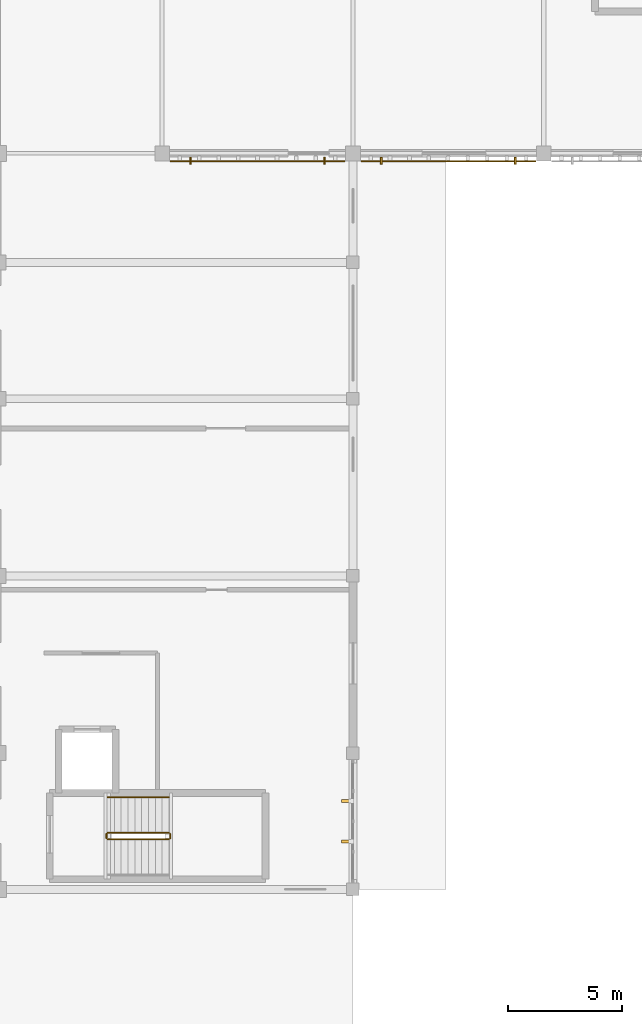
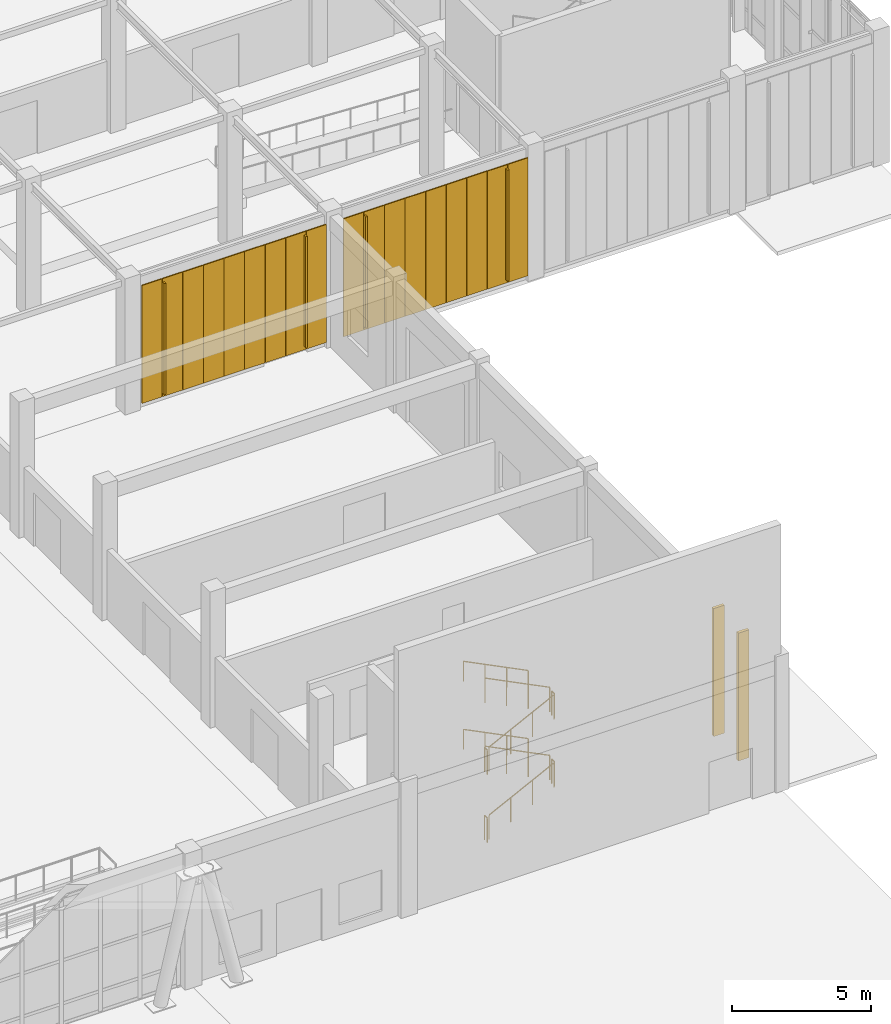
# One storey, part 106 of 110: 20 coverings, 10 railings, 4 shading devices.
"""IFC4 building model written with IfcOpenShell, lengths in metres."""

from ifc_helpers import new_model, si_unit, direction, frame, origin, origin_2d, place, context, subcontext, project, spatial, rectangle, circle, extrude, material, layer, layer_set, type_object, element, save


model = new_model("IFC4")

# Units and contexts
model_context = context("Model", 3, precision=1e-05, world=origin(), true_north=direction((0.0, 1.0)))
body_context = subcontext(model_context, "Body", "Model", "MODEL_VIEW")
ifc_project = project(units=[si_unit("LENGTHUNIT", "METRE"), si_unit("AREAUNIT", "SQUARE_METRE"), si_unit("VOLUMEUNIT", "CUBIC_METRE"), si_unit("PLANEANGLEUNIT", "RADIAN"), si_unit("MASSUNIT", "GRAM", prefix="KILO")], contexts=[model_context])

# Site, building, storey
site_placement = place(None, origin())
site = spatial("IfcSite", under=ifc_project, at=site_placement, CompositionType="ELEMENT")
building_placement = place(site_placement, origin())
building = spatial("IfcBuilding", under=site, at=building_placement, Name="Tizgana Railside Sports Hall", CompositionType="ELEMENT")
storey_placement = place(building_placement, origin())
storey = spatial("IfcBuildingStorey", under=building, at=storey_placement, Name="L00", CompositionType="ELEMENT", Elevation=0.0)

# Shading devices
ifc_material_1 = material(Name="Glulam GL28h", Category="wood")
shading_device_type = type_object("IfcShadingDeviceType", Name="Glulam Vertical Brise-Soleil Fin 320", PredefinedType="JALOUSIE", material=ifc_material_1)
for number, where, z_axis, x_axis, name in (
    (1, (148.14990234375, 72.8759765625, 0.449951171875), (0.0, 0.0, 1.0), (-1.0, 0.0, 0.0), "L00 Glulam Fin FIN-0001"),
    (2, (142.25, 72.8759765625, 0.449951171875), (0.0, 0.0, 1.0), (-1.0, 0.0, 0.0), "L00 Glulam Fin FIN-0002"),
    (3, (156.550048828125, 72.8759765625, 0.449951171875), (0.0, 0.0, 1.0), (-1.0, 0.0, 0.0), "L00 Glulam Fin FIN-0003"),
    (4, (150.64990234375, 72.8759765625, 0.449951171875), (0.0, 0.0, 1.0), (-1.0, 0.0, 0.0), "L00 Glulam Fin FIN-0004"),
):
    element("IfcShadingDevice", number, at=place(storey_placement, frame(where, z_axis=z_axis, x_axis=x_axis)), inside=storey, type_object=shading_device_type, Name=name, PredefinedType="JALOUSIE", context=body_context, shape_type="SweptSolid", body=[
        extrude(rectangle(XDim=0.080078125, YDim=0.320068359375, at=origin_2d()), origin(), (0.0, 0.0, 1.0), 4.89990234375),
    ])

# Coverings
ifc_layer_1 = layer(ifc_material_1, 0.139892578125, Name="Glulam GL28h")
ifc_layer_set_1 = layer_set([ifc_layer_1], Name="Glulam GL28h")
covering_type_1 = type_object("IfcCoveringType", Name="Mass-Timber Brise-Soleil & Pergola Fin", PredefinedType="CLADDING", material=ifc_layer_set_1)
for number, where, z_axis, x_axis, name in (
    (5, (149.1201171875, 42.909912109375, 0.0849609375), (0.0, 0.0, 1.0), (0.0, 1.0, 0.0), "L00 Timber Brise-Soleil Fin"),
    (6, (149.1201171875, 44.68994140625, 0.0849609375), (0.0, 0.0, 1.0), (0.0, 1.0, 0.0), "L00 Timber Brise-Soleil Fin"),
):
    element("IfcCovering", number, at=place(storey_placement, frame(where, z_axis=z_axis, x_axis=x_axis)), inside=storey, type_object=covering_type_1, Name=name, PredefinedType="CLADDING", context=body_context, shape_type="SweptSolid", body=[
        extrude(rectangle(XDim=0.1201171875, YDim=0.43994140625, at=origin_2d()), origin(), (0.0, 0.0, 1.0), 5.635009765625),
    ])
ifc_material_2 = material(Name="Anodised perforated aluminium screen", Category="aluminium")
ifc_layer_2 = layer(ifc_material_2, 0.044921875, Name="Anodised perforated aluminium screen")
ifc_layer_set_2 = layer_set([ifc_layer_2], Name="Anodised perforated aluminium screen")
covering_type_2 = type_object("IfcCoveringType", Name="Perforated Aluminium Hall Screen 900", PredefinedType="CLADDING", material=ifc_layer_set_2)
for number, where, z_axis, x_axis, name in (
    (7, (148.622314453125, 72.85498046875, 0.2998046875), (0.0, 0.0, 1.0), (-1.0, 0.0, 0.0), "L00 Perforated Screen SCR-0421"),
    (8, (147.7666015625, 72.85498046875, 0.2998046875), (0.0, 0.0, 1.0), (-1.0, 0.0, 0.0), "L00 Perforated Screen SCR-0422"),
    (9, (146.9111328125, 72.85498046875, 0.2998046875), (0.0, 0.0, 1.0), (-1.0, 0.0, 0.0), "L00 Perforated Screen SCR-0423"),
    (10, (146.0556640625, 72.85498046875, 0.2998046875), (0.0, 0.0, 1.0), (-1.0, 0.0, 0.0), "L00 Perforated Screen SCR-0424"),
    (11, (145.199951171875, 72.85498046875, 0.2998046875), (0.0, 0.0, 1.0), (-1.0, 0.0, 0.0), "L00 Perforated Screen SCR-0425"),
    (12, (144.344482421875, 72.85498046875, 0.2998046875), (0.0, 0.0, 1.0), (-1.0, 0.0, 0.0), "L00 Perforated Screen SCR-0426"),
    (13, (143.489013671875, 72.85498046875, 0.2998046875), (0.0, 0.0, 1.0), (-1.0, 0.0, 0.0), "L00 Perforated Screen SCR-0427"),
    (14, (142.63330078125, 72.85498046875, 0.2998046875), (0.0, 0.0, 1.0), (-1.0, 0.0, 0.0), "L00 Perforated Screen SCR-0428"),
    (15, (141.77783203125, 72.85498046875, 0.2998046875), (0.0, 0.0, 1.0), (-1.0, 0.0, 0.0), "L00 Perforated Screen SCR-0429"),
    (16, (157.022216796875, 72.85498046875, 0.2998046875), (0.0, 0.0, 1.0), (-1.0, 0.0, 0.0), "L00 Perforated Screen SCR-0430"),
    (17, (156.166748046875, 72.85498046875, 0.2998046875), (0.0, 0.0, 1.0), (-1.0, 0.0, 0.0), "L00 Perforated Screen SCR-0431"),
    (18, (155.31103515625, 72.85498046875, 0.2998046875), (0.0, 0.0, 1.0), (-1.0, 0.0, 0.0), "L00 Perforated Screen SCR-0432"),
    (19, (154.45556640625, 72.85498046875, 0.2998046875), (0.0, 0.0, 1.0), (-1.0, 0.0, 0.0), "L00 Perforated Screen SCR-0433"),
    (20, (153.60009765625, 72.85498046875, 0.2998046875), (0.0, 0.0, 1.0), (-1.0, 0.0, 0.0), "L00 Perforated Screen SCR-0434"),
    (21, (152.744384765625, 72.85498046875, 0.2998046875), (0.0, 0.0, 1.0), (-1.0, 0.0, 0.0), "L00 Perforated Screen SCR-0435"),
    (22, (151.888916015625, 72.85498046875, 0.2998046875), (0.0, 0.0, 1.0), (-1.0, 0.0, 0.0), "L00 Perforated Screen SCR-0436"),
    (23, (151.033203125, 72.85498046875, 0.2998046875), (0.0, 0.0, 1.0), (-1.0, 0.0, 0.0), "L00 Perforated Screen SCR-0437"),
    (24, (150.177734375, 72.85498046875, 0.2998046875), (0.0, 0.0, 1.0), (-1.0, 0.0, 0.0), "L00 Perforated Screen SCR-0438"),
):
    element("IfcCovering", number, at=place(storey_placement, frame(where, z_axis=z_axis, x_axis=x_axis)), inside=storey, type_object=covering_type_2, Name=name, PredefinedType="CLADDING", context=body_context, shape_type="SweptSolid", body=[
        extrude(rectangle(XDim=0.837646484375, YDim=0.044921875, at=origin_2d()), origin(), (0.0, 0.0, 1.0), 5.199951171875),
    ])

# Railings
ifc_material_3 = material(Name="Galvanised steel sheet", Category="steel")
railing_type_1 = type_object("IfcRailingType", Name="Safety Balustrade Guard 1100", PredefinedType="BALUSTRADE", material=ifc_material_3)
railing_1_placement = place(storey_placement, frame((138.60009765625, 43.0, 0.14990234375)))
element("IfcRailing", 25, at=railing_1_placement, inside=storey, type_object=railing_type_1, Name="L00 ST-05 stair guard 1", PredefinedType="BALUSTRADE", context=body_context, shape_type="SweptSolid", body=[
    extrude(circle(Radius=0.02392578125, at=origin_2d()), frame((0.0, 0.0, 1.076171875), z_axis=(0.894411015155, 0.0, 0.447245945728), x_axis=(0.0, 1.0, 0.0)), (0.0, 0.0, 1.0), 3.018798828125),
    extrude(circle(Radius=0.02099609375, at=origin_2d()), origin(), (0.0, 0.0, 1.0), 1.052001953125),
    extrude(circle(Radius=0.02099609375, at=origin_2d()), frame((0.89990234375, 0.0, 0.449951171875)), (0.0, 0.0, 1.0), 1.052001953125),
    extrude(circle(Radius=0.02099609375, at=origin_2d()), frame((1.800048828125, 0.0, 0.900146484375)), (0.0, 0.0, 1.0), 1.052001953125),
    extrude(circle(Radius=0.02099609375, at=origin_2d()), frame((2.699951171875, 0.0, 1.35009765625)), (0.0, 0.0, 1.0), 1.052001953125),
])
railing_2_placement = place(storey_placement, frame((141.35009765625, 43.050048828125, 1.5)))
element("IfcRailing", 26, at=railing_2_placement, inside=storey, type_object=railing_type_1, Name="L00 ST-05 stair guard 2", PredefinedType="BALUSTRADE", context=body_context, shape_type="SweptSolid", body=[
    extrude(circle(Radius=0.02392578125, at=origin_2d()), frame((0.0, 0.0, 1.076171875), z_axis=(0.0, 1.0, 0.0), x_axis=(-1.0, 0.0, 0.0)), (0.0, 0.0, 1.0), 0.199951171875),
    extrude(circle(Radius=0.02099609375, at=origin_2d()), origin(), (0.0, 0.0, 1.0), 1.052001953125),
    extrude(circle(Radius=0.02099609375, at=origin_2d()), frame((0.0, 0.199951171875, 0.0)), (0.0, 0.0, 1.0), 1.052001953125),
])
railing_3_placement = place(storey_placement, frame((141.300048828125, 43.300048828125, 1.64990234375)))
element("IfcRailing", 27, at=railing_3_placement, inside=storey, type_object=railing_type_1, Name="L00 ST-05 stair guard 3", PredefinedType="BALUSTRADE", context=body_context, shape_type="SweptSolid", body=[
    extrude(circle(Radius=0.02392578125, at=origin_2d()), frame((0.0, 0.0, 1.076171875), z_axis=(-0.894411015155, 0.0, 0.447245945728), x_axis=(0.0, -1.0, 0.0)), (0.0, 0.0, 1.0), 3.018798828125),
    extrude(circle(Radius=0.02099609375, at=origin_2d()), origin(), (0.0, 0.0, 1.0), 1.052001953125),
    extrude(circle(Radius=0.02099609375, at=origin_2d()), frame((-0.89990234375, 0.0, 0.449951171875)), (0.0, 0.0, 1.0), 1.052001953125),
    extrude(circle(Radius=0.02099609375, at=origin_2d()), frame((-1.800048828125, 0.0, 0.900146484375)), (0.0, 0.0, 1.0), 1.052001953125),
    extrude(circle(Radius=0.02099609375, at=origin_2d()), frame((-2.699951171875, 0.0, 1.35009765625)), (0.0, 0.0, 1.0), 1.052001953125),
])
railing_4_placement = place(storey_placement, frame((138.550048828125, 43.050048828125, 3.0)))
element("IfcRailing", 28, at=railing_4_placement, inside=storey, type_object=railing_type_1, Name="L00 ST-05 stair guard 4", PredefinedType="BALUSTRADE", context=body_context, shape_type="SweptSolid", body=[
    extrude(circle(Radius=0.02392578125, at=origin_2d()), frame((0.0, 0.0, 1.076171875), z_axis=(0.0, 1.0, 0.0), x_axis=(-1.0, 0.0, 0.0)), (0.0, 0.0, 1.0), 0.199951171875),
    extrude(circle(Radius=0.02099609375, at=origin_2d()), origin(), (0.0, 0.0, 1.0), 1.052001953125),
    extrude(circle(Radius=0.02099609375, at=origin_2d()), frame((0.0, 0.199951171875, 0.0)), (0.0, 0.0, 1.0), 1.052001953125),
])
railing_5_placement = place(storey_placement, frame((138.60009765625, 43.0, 3.14990234375)))
element("IfcRailing", 29, at=railing_5_placement, inside=storey, type_object=railing_type_1, Name="L00 ST-05 stair guard 5", PredefinedType="BALUSTRADE", context=body_context, shape_type="SweptSolid", body=[
    extrude(circle(Radius=0.02392578125, at=origin_2d()), frame((0.0, 0.0, 1.076171875), z_axis=(0.894411015155, 0.0, 0.447245945728), x_axis=(0.0, 1.0, 0.0)), (0.0, 0.0, 1.0), 3.018798828125),
    extrude(circle(Radius=0.02099609375, at=origin_2d()), origin(), (0.0, 0.0, 1.0), 1.052001953125),
    extrude(circle(Radius=0.02099609375, at=origin_2d()), frame((0.89990234375, 0.0, 0.449951171875)), (0.0, 0.0, 1.0), 1.052001953125),
    extrude(circle(Radius=0.02099609375, at=origin_2d()), frame((1.800048828125, 0.0, 0.900146484375)), (0.0, 0.0, 1.0), 1.052001953125),
    extrude(circle(Radius=0.02099609375, at=origin_2d()), frame((2.699951171875, 0.0, 1.35009765625)), (0.0, 0.0, 1.0), 1.052001953125),
])
railing_6_placement = place(storey_placement, frame((141.35009765625, 43.050048828125, 4.5)))
element("IfcRailing", 30, at=railing_6_placement, inside=storey, type_object=railing_type_1, Name="L00 ST-05 stair guard 6", PredefinedType="BALUSTRADE", context=body_context, shape_type="SweptSolid", body=[
    extrude(circle(Radius=0.02392578125, at=origin_2d()), frame((0.0, 0.0, 1.076171875), z_axis=(0.0, 1.0, 0.0), x_axis=(-1.0, 0.0, 0.0)), (0.0, 0.0, 1.0), 0.199951171875),
    extrude(circle(Radius=0.02099609375, at=origin_2d()), origin(), (0.0, 0.0, 1.0), 1.052001953125),
    extrude(circle(Radius=0.02099609375, at=origin_2d()), frame((0.0, 0.199951171875, 0.0)), (0.0, 0.0, 1.0), 1.052001953125),
])
railing_7_placement = place(storey_placement, frame((141.300048828125, 43.300048828125, 4.64990234375)))
element("IfcRailing", 31, at=railing_7_placement, inside=storey, type_object=railing_type_1, Name="L00 ST-05 stair guard 7", PredefinedType="BALUSTRADE", context=body_context, shape_type="SweptSolid", body=[
    extrude(circle(Radius=0.02392578125, at=origin_2d()), frame((0.0, 0.0, 1.076171875), z_axis=(-0.894411015155, 0.0, 0.447245945728), x_axis=(0.0, -1.0, 0.0)), (0.0, 0.0, 1.0), 3.018798828125),
    extrude(circle(Radius=0.02099609375, at=origin_2d()), origin(), (0.0, 0.0, 1.0), 1.052001953125),
    extrude(circle(Radius=0.02099609375, at=origin_2d()), frame((-0.89990234375, 0.0, 0.449951171875)), (0.0, 0.0, 1.0), 1.052001953125),
    extrude(circle(Radius=0.02099609375, at=origin_2d()), frame((-1.800048828125, 0.0, 0.900146484375)), (0.0, 0.0, 1.0), 1.052001953125),
    extrude(circle(Radius=0.02099609375, at=origin_2d()), frame((-2.699951171875, 0.0, 1.35009765625)), (0.0, 0.0, 1.0), 1.052001953125),
])
railing_8_placement = place(storey_placement, frame((138.550048828125, 43.050048828125, 0.0)))
element("IfcRailing", 32, at=railing_8_placement, inside=storey, type_object=railing_type_1, Name="L00 ST-05 stair guard 8", PredefinedType="BALUSTRADE", context=body_context, shape_type="SweptSolid", body=[
    extrude(circle(Radius=0.02392578125, at=origin_2d()), frame((0.0, 0.0, 1.076171875), z_axis=(0.0, 1.0, 0.0), x_axis=(-1.0, 0.0, 0.0)), (0.0, 0.0, 1.0), 0.199951171875),
    extrude(circle(Radius=0.02099609375, at=origin_2d()), origin(), (0.0, 0.0, 1.0), 1.052001953125),
    extrude(circle(Radius=0.02099609375, at=origin_2d()), frame((0.0, 0.199951171875, 0.0)), (0.0, 0.0, 1.0), 1.052001953125),
])
ifc_material_4 = material(Name="Brushed stainless steel", Category="steel")
railing_type_2 = type_object("IfcRailingType", Name="Stair & Ramp Wall Handrail 900", PredefinedType="HANDRAIL", material=ifc_material_4)
for number, where, name in (
    (33, (141.300048828125, 44.85009765625, 1.64990234375), "L00 ST-05 stair handrail 2"),
    (34, (141.300048828125, 44.85009765625, 4.64990234375), "L00 ST-05 stair handrail 4"),
):
    element("IfcRailing", number, at=place(storey_placement, frame(where)), inside=storey, type_object=railing_type_2, Name=name, PredefinedType="HANDRAIL", context=body_context, shape_type="SweptSolid", body=[
        extrude(circle(Radius=0.02392578125, at=origin_2d()), frame((0.0, 0.0, 0.8759765625), z_axis=(-0.894411015155, 0.0, 0.447245945728), x_axis=(0.0, -1.0, 0.0)), (0.0, 0.0, 1.0), 3.018798828125),
        extrude(circle(Radius=0.02099609375, at=origin_2d()), origin(), (0.0, 0.0, 1.0), 0.851806640625),
        extrude(circle(Radius=0.02099609375, at=origin_2d()), frame((-0.89990234375, 0.0, 0.449951171875)), (0.0, 0.0, 1.0), 0.851806640625),
        extrude(circle(Radius=0.02099609375, at=origin_2d()), frame((-1.800048828125, 0.0, 0.900146484375)), (0.0, 0.0, 1.0), 0.851806640625),
        extrude(circle(Radius=0.02099609375, at=origin_2d()), frame((-2.699951171875, 0.0, 1.35009765625)), (0.0, 0.0, 1.0), 0.851806640625),
    ])

save(model, "model.ifc")
